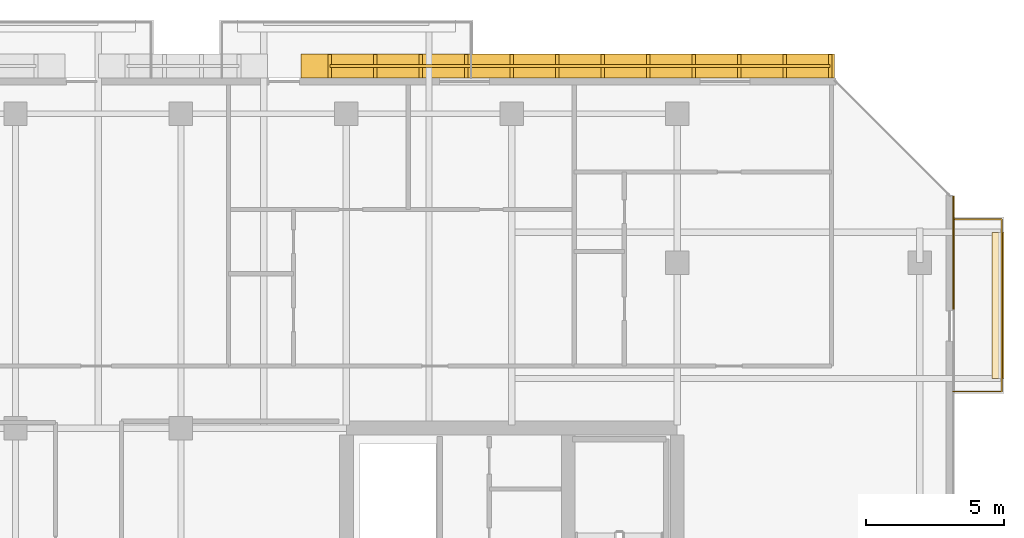
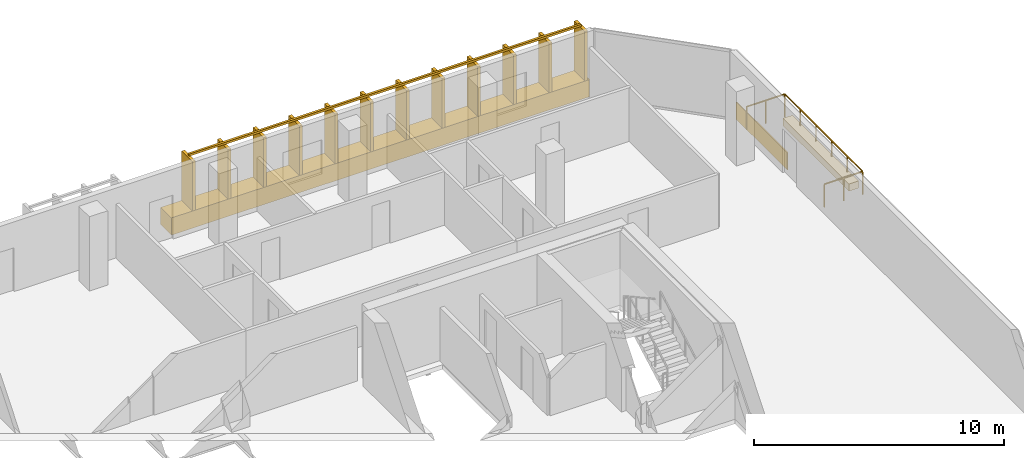
# One storey, part 30 of 30: 3 coverings, 2 railings.
"""IFC4 building model written with IfcOpenShell, lengths in metres."""

from ifc_helpers import new_model, si_unit, direction, frame, origin, origin_2d, place, context, subcontext, project, spatial, polyline, rectangle, outline, extrude, material, layer, layer_set, type_object, element, save


model = new_model("IFC4")

# Units and contexts
model_context = context("Model", 3, precision=1e-05, world=origin(), true_north=direction((0.0, 1.0)))
body_context = subcontext(model_context, "Body", "Model", "MODEL_VIEW")
ifc_project = project(units=[si_unit("LENGTHUNIT", "METRE"), si_unit("AREAUNIT", "SQUARE_METRE"), si_unit("VOLUMEUNIT", "CUBIC_METRE"), si_unit("PLANEANGLEUNIT", "RADIAN"), si_unit("MASSUNIT", "GRAM", prefix="KILO")], contexts=[model_context])

# Site, building, storey
site_placement = place(None, origin())
site = spatial("IfcSite", under=ifc_project, at=site_placement, CompositionType="ELEMENT")
building_placement = place(site_placement, origin())
building = spatial("IfcBuilding", under=site, at=building_placement, Name="Tanjung Sevakor Pilgrim Tower", CompositionType="ELEMENT")
storey_placement = place(building_placement, frame((0.0, 0.0, 165.659912109375)))
storey = spatial("IfcBuildingStorey", under=building, at=storey_placement, Name="L46", CompositionType="ELEMENT", Elevation=165.659912109375)

# Coverings
ifc_material_1 = material(Name="Reconstructed Limestone Cladding", Category="masonry")
ifc_layer_1 = layer(ifc_material_1, 0.044921875)
ifc_layer_set_1 = layer_set([ifc_layer_1], Name="COV-CLAD-LIMESTONE")
covering_type_1 = type_object("IfcCoveringType", Name="COV-CLAD-LIMESTONE", PredefinedType="CLADDING", material=ifc_layer_set_1)
covering_1_placement = place(storey_placement, frame((100.0224609375, 48.958984375, 0.01025390625), z_axis=(0.0, 0.0, 1.0), x_axis=(0.0, 1.0, 0.0)))
element("IfcCovering", 1, at=covering_1_placement, inside=storey, type_object=covering_type_1, Name="L46 Warm Limestone Sill Spandrel EW-L46-MAIN-7-3", PredefinedType="CLADDING", context=body_context, shape_type="SweptSolid", body=[
    extrude(rectangle(XDim=4.09814453125, YDim=0.044921875, at=origin_2d()), origin(), (0.0, 0.0, 1.0), 0.840087890625),
])
covering_2_placement = place(storey_placement, frame((86.0341796875, 55.72998046875, 0.01025390625), z_axis=(0.0, 0.0, 1.0), x_axis=(-1.0, 0.0, 0.0)))
element("IfcCovering", 2, at=covering_2_placement, inside=storey, type_object=covering_type_1, Name="L46 Warm Limestone Sill Spandrel EW-L46-MAIN-9-1", PredefinedType="CLADDING", context=body_context, shape_type="SweptSolid", body=[
    extrude(rectangle(XDim=19.34814453125, YDim=0.860107421875, at=origin_2d()), origin(), (0.0, 0.0, 1.0), 0.840087890625),
])
ifc_material_2 = material(Name="Vegetated Modular Planter Assembly", Category="organic")
ifc_layer_2 = layer(ifc_material_2, 0.35009765625)
ifc_layer_set_2 = layer_set([ifc_layer_2], Name="COV-GRN-TROUGH")
covering_type_2 = type_object("IfcCoveringType", Name="COV-GRN-TROUGH", PredefinedType="CLADDING", material=ifc_layer_set_2)
covering_3_placement = place(storey_placement, origin())
element("IfcCovering", 3, at=covering_3_placement, inside=storey, type_object=covering_type_2, Name="L46 Planted Landscape Hedge Trough BGRN-L46-MAIN-E2", PredefinedType="CLADDING", context=body_context, shape_type="SweptSolid", body=[
    extrude(outline(polyline([(101.85009765625, 44.39990234375), (101.85009765625, 49.699951171875), (101.409912109375, 49.699951171875), (101.409912109375, 44.39990234375), (101.85009765625, 44.39990234375)])), origin(), (0.0, 0.0, 1.0), 0.35009765625),
])

# Railings
ifc_material_3 = material(Name="Laminated Glass and Aluminium", Category="aluminium")
railing_type_1 = type_object("IfcRailingType", Name="RL-BAL-BALUST", PredefinedType="BALUSTRADE", material=ifc_material_3)
railing_1_placement = place(storey_placement, frame((100.0, 43.929931640625, 0.0)))
element("IfcRailing", 4, at=railing_1_placement, inside=storey, type_object=railing_type_1, Name="L46 Loggia Balustrade MAIN-E2", PredefinedType="BALUSTRADE", context=body_context, shape_type="SweptSolid", body=[
    extrude(rectangle(XDim=0.0479, YDim=0.0479), frame((0.0, 0.0, 1.1259765625), z_axis=(1.0, 0.0, 0.0), x_axis=(0.0, 1.0, 0.0)), (0.0, 0.0, 1.0), 1.77001953125),
    extrude(rectangle(XDim=0.0479, YDim=0.0479), frame((1.77001953125, 0.0, 1.1259765625), z_axis=(0.0, 1.0, 0.0), x_axis=(-1.0, 0.0, 0.0)), (0.0, 0.0, 1.0), 6.239990234375),
    extrude(rectangle(XDim=0.0479, YDim=0.0479), frame((1.77001953125, 6.239990234375, 1.1259765625), z_axis=(-1.0, 0.0, 0.0), x_axis=(0.0, -1.0, 0.0)), (0.0, 0.0, 1.0), 1.77001953125),
    extrude(rectangle(XDim=0.042, YDim=0.042), origin(), (0.0, 0.0, 1.0), 1.101806640625),
    extrude(rectangle(XDim=0.042, YDim=0.042), frame((0.885009765625, 0.0, 0.0)), (0.0, 0.0, 1.0), 1.101806640625),
    extrude(rectangle(XDim=0.042, YDim=0.042), frame((1.77001953125, 0.0, 0.0)), (0.0, 0.0, 1.0), 1.101806640625),
    extrude(rectangle(XDim=0.042, YDim=0.042), frame((1.77001953125, 1.248046875, 0.0)), (0.0, 0.0, 1.0), 1.101806640625),
    extrude(rectangle(XDim=0.042, YDim=0.042), frame((1.77001953125, 2.49609375, 0.0)), (0.0, 0.0, 1.0), 1.101806640625),
    extrude(rectangle(XDim=0.042, YDim=0.042), frame((1.77001953125, 3.743896484375, 0.0)), (0.0, 0.0, 1.0), 1.101806640625),
    extrude(rectangle(XDim=0.042, YDim=0.042), frame((1.77001953125, 4.991943359375, 0.0)), (0.0, 0.0, 1.0), 1.101806640625),
    extrude(rectangle(XDim=0.042, YDim=0.042), frame((1.77001953125, 6.239990234375, 0.0)), (0.0, 0.0, 1.0), 1.101806640625),
    extrude(rectangle(XDim=0.042, YDim=0.042), frame((0.885009765625, 6.239990234375, 0.0)), (0.0, 0.0, 1.0), 1.101806640625),
    extrude(rectangle(XDim=0.042, YDim=0.042), frame((0.0, 6.239990234375, 0.0)), (0.0, 0.0, 1.0), 1.101806640625),
])
ifc_material_4 = material(Name="Anodised Bronze Aluminium 6063-T6", Category="aluminium")
railing_type_2 = type_object("IfcRailingType", Name="RL-FIN-SCREEN", PredefinedType="BALUSTRADE", material=ifc_material_4)
railing_2_placement = place(storey_placement, frame((95.548095703125, 55.72509765625, 0.840087890625)))
element("IfcRailing", 5, at=railing_2_placement, inside=storey, type_object=railing_type_2, Name="L46 Vertical Bronze-Gold Solar Fin Screen FNSCR-EW-L46-MAIN-9-1", PredefinedType="BALUSTRADE", context=body_context, shape_type="SweptSolid", body=[
    extrude(rectangle(XDim=0.105, YDim=0.105), frame((0.0, 0.0, 2.487548828125), z_axis=(-1.0, 0.0, 0.0), x_axis=(0.0, -1.0, 0.0)), (0.0, 0.0, 1.0), 18.148193359375),
    extrude(rectangle(XDim=0.14, YDim=0.85), origin(), (0.0, 0.0, 1.0), 2.43505859375),
    extrude(rectangle(XDim=0.14, YDim=0.85), frame((-1.64990234375, 0.0, 0.0)), (0.0, 0.0, 1.0), 2.43505859375),
    extrude(rectangle(XDim=0.14, YDim=0.85), frame((-3.299560546875, 0.0, 0.0)), (0.0, 0.0, 1.0), 2.43505859375),
    extrude(rectangle(XDim=0.14, YDim=0.85), frame((-4.949462890625, 0.0, 0.0)), (0.0, 0.0, 1.0), 2.43505859375),
    extrude(rectangle(XDim=0.14, YDim=0.85), frame((-6.599365234375, 0.0, 0.0)), (0.0, 0.0, 1.0), 2.43505859375),
    extrude(rectangle(XDim=0.14, YDim=0.85), frame((-8.249267578125, 0.0, 0.0)), (0.0, 0.0, 1.0), 2.43505859375),
    extrude(rectangle(XDim=0.14, YDim=0.85), frame((-9.89892578125, 0.0, 0.0)), (0.0, 0.0, 1.0), 2.43505859375),
    extrude(rectangle(XDim=0.14, YDim=0.85), frame((-11.548828125, 0.0, 0.0)), (0.0, 0.0, 1.0), 2.43505859375),
    extrude(rectangle(XDim=0.14, YDim=0.85), frame((-13.19873046875, 0.0, 0.0)), (0.0, 0.0, 1.0), 2.43505859375),
    extrude(rectangle(XDim=0.14, YDim=0.85), frame((-14.8486328125, 0.0, 0.0)), (0.0, 0.0, 1.0), 2.43505859375),
    extrude(rectangle(XDim=0.14, YDim=0.85), frame((-16.498291015625, 0.0, 0.0)), (0.0, 0.0, 1.0), 2.43505859375),
    extrude(rectangle(XDim=0.14, YDim=0.85), frame((-18.148193359375, 0.0, 0.0)), (0.0, 0.0, 1.0), 2.43505859375),
])

save(model, "model.ifc")
